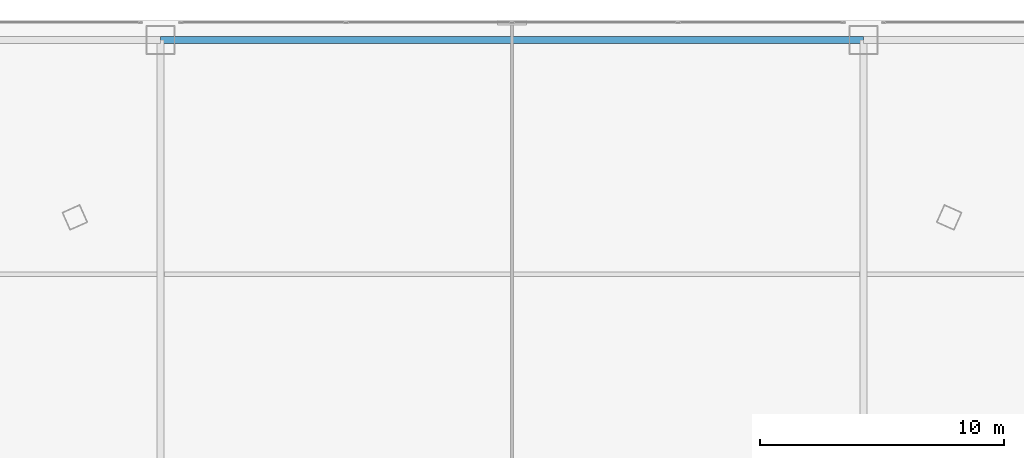
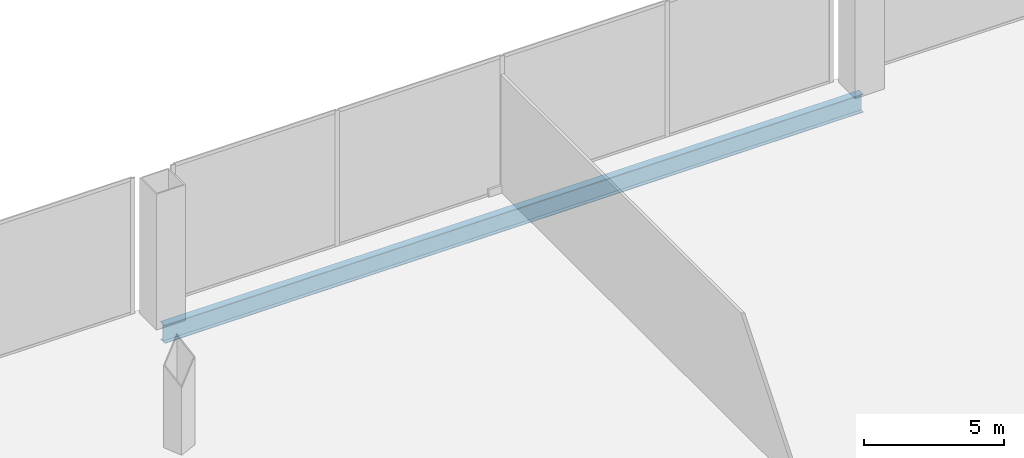
# One storey, part 23 of 41: 1 beam.
"""IFC4 building model written with IfcOpenShell, lengths in metres."""

from ifc_helpers import new_model, si_unit, direction, frame, origin, origin_2d, place, context, subcontext, project, spatial, i_section, extrude, source, transform, mapped, material, material_profile, profile_set, type_object, element, save


model = new_model("IFC4")

# Units and contexts
model_context = context("Model", 3, precision=1e-05, world=origin(), true_north=direction((0.0, 1.0)))
body_context = subcontext(model_context, "Body", "Model", "MODEL_VIEW")
ifc_project = project(units=[si_unit("LENGTHUNIT", "METRE"), si_unit("AREAUNIT", "SQUARE_METRE"), si_unit("VOLUMEUNIT", "CUBIC_METRE"), si_unit("PLANEANGLEUNIT", "RADIAN"), si_unit("MASSUNIT", "GRAM", prefix="KILO"), si_unit("THERMODYNAMICTEMPERATUREUNIT", "KELVIN"), si_unit("POWERUNIT", "WATT")], contexts=[model_context])

# Site, building, storey
site_placement = place(None, origin())
site = spatial("IfcSite", under=ifc_project, at=site_placement, CompositionType="ELEMENT")
building_placement = place(site_placement, origin())
building = spatial("IfcBuilding", under=site, at=building_placement, Name="Yunzhuo Pagoda Commons", CompositionType="ELEMENT")
storey_placement = place(building_placement, frame((0.0, 0.0, 19.199951171875)))
storey = spatial("IfcBuildingStorey", under=building, at=storey_placement, Name="L05", CompositionType="ELEMENT", Elevation=19.199951171875)

# Beam
ifc_material = material(Name="Structural steel Q355B", Category="steel")
ifc_material_profile = material_profile(ifc_material, i_section(OverallWidth=0.300048828125, OverallDepth=0.800048828125, WebThickness=0.013916015625, FlangeThickness=0.02587890625, at=origin_2d()), Name="Structural steel Q355B")
ifc_profile_set = profile_set([ifc_material_profile], Name="Structural steel Q355B")
beam_type = type_object("IfcBeamType", Name="B-PD2 Beam HN 800x300x14x26", PredefinedType="BEAM", material=ifc_profile_set)
shared_shape = source(origin(), body_context, "Body", "SweptSolid", [
    extrude(i_section(OverallWidth=0.300048828125, OverallDepth=0.800048828125, WebThickness=0.013916015625, FlangeThickness=0.02587890625, at=origin_2d()), origin(), (0.0, 0.0, 1.0), 28.7998046875),
])
beam_placement = place(storey_placement, frame((33.60009765625, 81.199951171875, -0.6796875), z_axis=(1.0, 0.0, 0.0), x_axis=(0.0, 1.0, 0.0)))
element("IfcBeam", 1, at=beam_placement, inside=storey, type_object=beam_type, Name="L05 podium girder EW 5.3", PredefinedType="BEAM", context=body_context, shape_type="MappedRepresentation", body=[
    mapped(shared_shape, transform((0.0, 0.0, 0.0), scale=1.0)),
])

save(model, "model.ifc")
